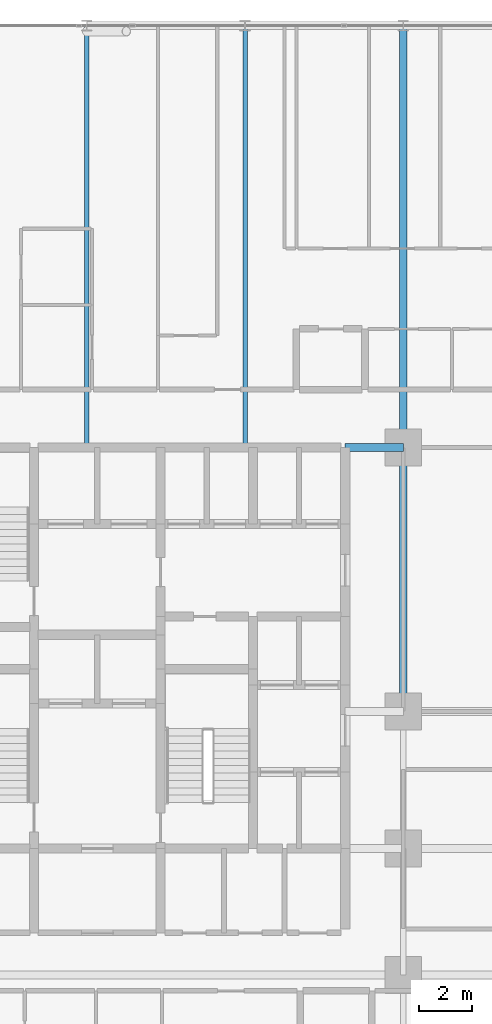
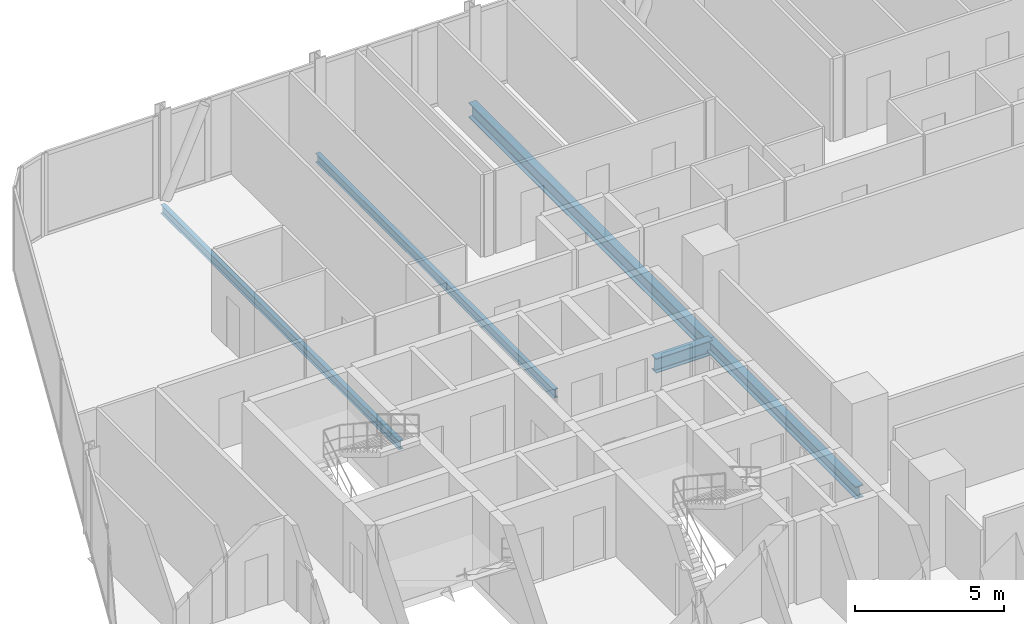
# One storey, part 12 of 33: 5 beams.
"""IFC4 building model written with IfcOpenShell, lengths in metres."""

from ifc_helpers import new_model, si_unit, direction, frame, origin, origin_2d, place, context, subcontext, project, spatial, i_section, extrude, material, material_profile, profile_set, type_object, element, save


model = new_model("IFC4")

# Units and contexts
model_context = context("Model", 3, precision=1e-05, world=origin(), true_north=direction((0.0, 1.0)))
body_context = subcontext(model_context, "Body", "Model", "MODEL_VIEW")
ifc_project = project(units=[si_unit("LENGTHUNIT", "METRE"), si_unit("AREAUNIT", "SQUARE_METRE"), si_unit("VOLUMEUNIT", "CUBIC_METRE"), si_unit("PLANEANGLEUNIT", "RADIAN"), si_unit("MASSUNIT", "GRAM", prefix="KILO")], contexts=[model_context])

# Site, building, storey
site_placement = place(None, origin())
site = spatial("IfcSite", under=ifc_project, at=site_placement, CompositionType="ELEMENT")
building_placement = place(site_placement, origin())
building = spatial("IfcBuilding", under=site, at=building_placement, Name="Keshet Zoharim Tower", CompositionType="ELEMENT")
storey_placement = place(building_placement, frame((0.0, 0.0, 35.10009765625)))
storey = spatial("IfcBuildingStorey", under=building, at=storey_placement, Name="L07", CompositionType="ELEMENT", Elevation=35.10009765625)

# Beams
ifc_material = material(Name="Steel S355", Category="steel")
ifc_material_profile_1 = material_profile(ifc_material, i_section(OverallWidth=0.300048828125, OverallDepth=0.60009765625, WebThickness=0.015380859375, FlangeThickness=0.030029296875, FilletRadius=0.027099609375, at=origin_2d()), Name="HEB600")
ifc_profile_set_1 = profile_set([ifc_material_profile_1], Name="Steel S355")
beam_type_1 = type_object("IfcBeamType", Name="BM-CLK-HB600", PredefinedType="BEAM", material=ifc_profile_set_1)
beam_1_placement = place(storey_placement, frame((30.800048828125, 37.89990234375, -0.614990234375), z_axis=(1.0, 0.0, 0.0), x_axis=(0.0, 1.0, 0.0)))
element("IfcBeam", 1, at=beam_1_placement, inside=storey, type_object=beam_type_1, Name="L07 Core Wall Link Girder 03", PredefinedType="BEAM", context=body_context, shape_type="SweptSolid", body=[
    extrude(i_section(OverallWidth=0.300048828125, OverallDepth=0.60009765625, WebThickness=0.015380859375, FlangeThickness=0.030029296875, FilletRadius=0.027099609375, at=origin_2d()), origin(), (0.0, 0.0, 1.0), 2.199951171875),
])
ifc_material_profile_2 = material_profile(ifc_material, i_section(OverallWidth=0.169921875, OverallDepth=0.360107421875, WebThickness=0.008056640625, FlangeThickness=0.0126953125, FilletRadius=0.01806640625, at=origin_2d()), Name="IPE360")
ifc_profile_set_2 = profile_set([ifc_material_profile_2], Name="Steel S355")
beam_type_2 = type_object("IfcBeamType", Name="BM-JST-IP360", PredefinedType="JOIST", material=ifc_profile_set_2)
for number, where, z_axis, x_axis, name in (
    (2, (21.0, 37.89990234375, -0.4951171875), (0.0, 1.0, 0.0), (-1.0, 0.0, 0.0), "L07 Secondary Floor Joist J-001"),
    (3, (27.0, 37.89990234375, -0.4951171875), (0.0, 1.0, 0.0), (-1.0, 0.0, 0.0), "L07 Secondary Floor Joist J-002"),
):
    element("IfcBeam", number, at=place(storey_placement, frame(where, z_axis=z_axis, x_axis=x_axis)), inside=storey, type_object=beam_type_2, Name=name, PredefinedType="JOIST", context=body_context, shape_type="SweptSolid", body=[
        extrude(i_section(OverallWidth=0.169921875, OverallDepth=0.360107421875, WebThickness=0.008056640625, FlangeThickness=0.0126953125, FilletRadius=0.01806640625, at=origin_2d()), origin(), (0.0, 0.0, 1.0), 16.0),
    ])
ifc_material_profile_3 = material_profile(ifc_material, i_section(OverallWidth=0.300048828125, OverallDepth=0.60009765625, WebThickness=0.015380859375, FlangeThickness=0.030029296875, FilletRadius=0.027099609375, at=origin_2d()), Name="HEB600")
ifc_profile_set_3 = profile_set([ifc_material_profile_3], Name="Steel S355")
beam_type_3 = type_object("IfcBeamType", Name="BM-LNG-HB600", PredefinedType="BEAM", material=ifc_profile_set_3)
beam_2_placement = place(storey_placement, frame((33.0, 37.89990234375, -0.614990234375), z_axis=(0.0, 1.0, 0.0), x_axis=(-1.0, 0.0, 0.0)))
element("IfcBeam", 4, at=beam_2_placement, inside=storey, type_object=beam_type_3, Name="L07 Primary Girder Y-011", PredefinedType="BEAM", context=body_context, shape_type="SweptSolid", body=[
    extrude(i_section(OverallWidth=0.300048828125, OverallDepth=0.60009765625, WebThickness=0.015380859375, FlangeThickness=0.030029296875, FilletRadius=0.027099609375, at=origin_2d()), origin(), (0.0, 0.0, 1.0), 16.0),
])
ifc_material_profile_4 = material_profile(ifc_material, i_section(OverallWidth=0.300048828125, OverallDepth=0.5, WebThickness=0.014404296875, FlangeThickness=0.028076171875, FilletRadius=0.027099609375, at=origin_2d()), Name="HEB500")
ifc_profile_set_4 = profile_set([ifc_material_profile_4], Name="Steel S355")
beam_type_4 = type_object("IfcBeamType", Name="BM-MED-HB500", PredefinedType="BEAM", material=ifc_profile_set_4)
beam_3_placement = place(storey_placement, frame((33.0, 27.89990234375, -0.565185546875), z_axis=(0.0, 1.0, 0.0), x_axis=(-1.0, 0.0, 0.0)))
element("IfcBeam", 5, at=beam_3_placement, inside=storey, type_object=beam_type_4, Name="L07 Primary Girder Y-010", PredefinedType="BEAM", context=body_context, shape_type="SweptSolid", body=[
    extrude(i_section(OverallWidth=0.300048828125, OverallDepth=0.5, WebThickness=0.014404296875, FlangeThickness=0.028076171875, FilletRadius=0.027099609375, at=origin_2d()), origin(), (0.0, 0.0, 1.0), 10.0),
])

save(model, "model.ifc")
